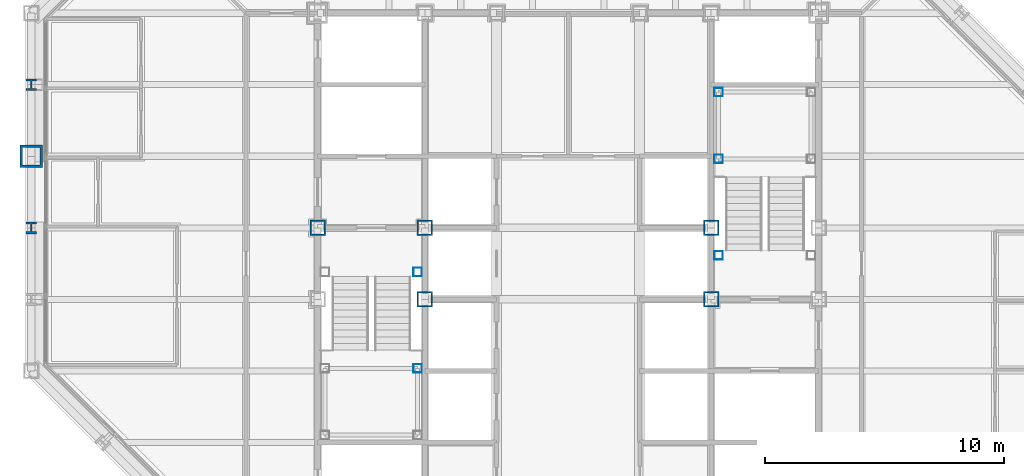
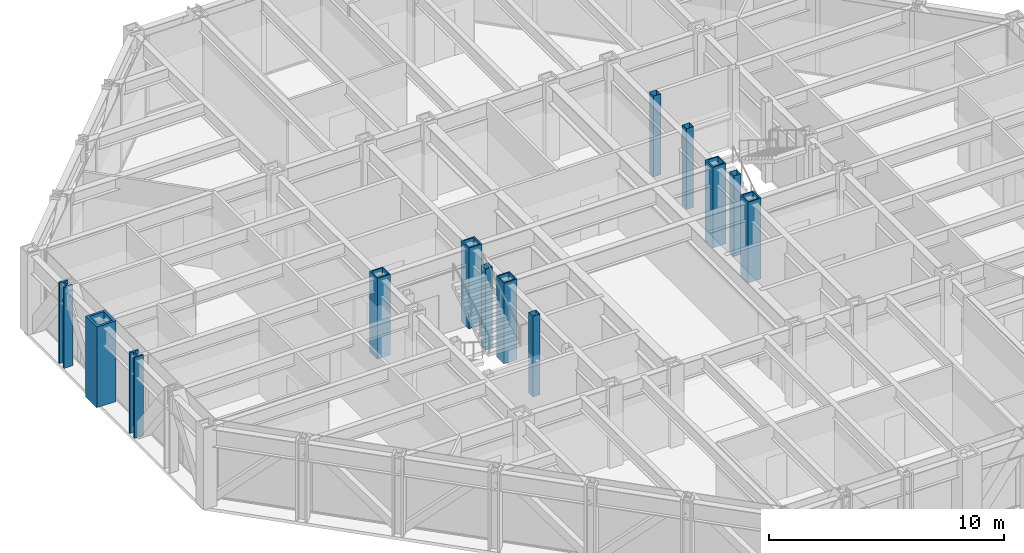
# One storey, part 2 of 16: 13 columns.
"""IFC4 building model written with IfcOpenShell, lengths in metres."""

from ifc_helpers import new_model, si_unit, direction, frame, origin, origin_2d, place, context, subcontext, project, spatial, hollow_rectangle, i_section, extrude, material, material_profile, profile_set, type_object, element, save


model = new_model("IFC4")

# Units and contexts
model_context = context("Model", 3, precision=1e-05, world=origin(), true_north=direction((0.0, 1.0)))
body_context = subcontext(model_context, "Body", "Model", "MODEL_VIEW")
ifc_project = project(units=[si_unit("LENGTHUNIT", "METRE"), si_unit("AREAUNIT", "SQUARE_METRE"), si_unit("VOLUMEUNIT", "CUBIC_METRE"), si_unit("PLANEANGLEUNIT", "RADIAN"), si_unit("MASSUNIT", "GRAM", prefix="KILO")], contexts=[model_context])

# Site, building, storey
site_placement = place(None, origin())
site = spatial("IfcSite", under=ifc_project, at=site_placement, CompositionType="ELEMENT")
building_placement = place(site_placement, origin())
building = spatial("IfcBuilding", under=site, at=building_placement, Name="Chuquiago Exchange Tower", CompositionType="ELEMENT")
storey_placement = place(building_placement, frame((0.0, 0.0, 209.699951171875)))
storey = spatial("IfcBuildingStorey", under=building, at=storey_placement, Name="L46", CompositionType="ELEMENT", Elevation=209.699951171875)

# Columns
ifc_material_1 = material(Name="Steel ASTM A992", Category="steel")
ifc_material_profile_1 = material_profile(ifc_material_1, i_section(OverallWidth=0.431884765625, OverallDepth=0.497802734375, WebThickness=0.0556640625, FlangeThickness=0.0888671875, at=origin_2d()), Name="W14X500")
ifc_profile_set_1 = profile_set([ifc_material_profile_1], Name="Steel ASTM A992")
column_type_1 = type_object("IfcColumnType", Name="C4 W14X500", PredefinedType="COLUMN", material=ifc_profile_set_1)
for number, where, z_axis, x_axis, name in (
    (1, (0.0, 30.0, 0.0), (0.0, 0.0, 1.0), (-1.0, 0.0, 0.0), "COL-L46-0_30"),
    (2, (0.0, 24.0, 0.0), (0.0, 0.0, 1.0), (-1.0, 0.0, 0.0), "COL-L46-0_24"),
):
    element("IfcColumn", number, at=place(storey_placement, frame(where, z_axis=z_axis, x_axis=x_axis)), inside=storey, type_object=column_type_1, Name=name, PredefinedType="COLUMN", context=body_context, shape_type="SweptSolid", body=[
        extrude(i_section(OverallWidth=0.431884765625, OverallDepth=0.497802734375, WebThickness=0.0556640625, FlangeThickness=0.0888671875, at=origin_2d()), origin(), (0.0, 0.0, 1.0), 4.199951171875),
    ])
ifc_material_2 = material(Name="Steel ASTM A572 Grade 50", Category="steel")
ifc_material_profile_2 = material_profile(ifc_material_2, hollow_rectangle(XDim=0.64990234375, YDim=0.64990234375, WallThickness=0.06494140625, at=origin_2d()), Name="BOX650X650X65")
ifc_profile_set_2 = profile_set([ifc_material_profile_2], Name="Steel ASTM A572 Grade 50")
column_type_2 = type_object("IfcColumnType", Name="CC4 BOX650X650X65", PredefinedType="COLUMN", material=ifc_profile_set_2)
for number, where, z_axis, x_axis, name in (
    (3, (12.0, 24.0, 0.0), (0.0, 0.0, 1.0), (1.0, 0.0, 0.0), "CCOL-L46-12_24"),
    (4, (16.5, 21.0, 0.0), (0.0, 0.0, 1.0), (1.0, 0.0, 0.0), "CCOL-L46-16.5_21"),
    (5, (16.5, 24.0, 0.0), (0.0, 0.0, 1.0), (1.0, 0.0, 0.0), "CCOL-L46-16.5_24"),
    (6, (28.5, 21.0, 0.0), (0.0, 0.0, 1.0), (1.0, 0.0, 0.0), "CCOL-L46-28.5_21"),
    (7, (28.5, 24.0, 0.0), (0.0, 0.0, 1.0), (1.0, 0.0, 0.0), "CCOL-L46-28.5_24"),
):
    element("IfcColumn", number, at=place(storey_placement, frame(where, z_axis=z_axis, x_axis=x_axis)), inside=storey, type_object=column_type_2, Name=name, PredefinedType="COLUMN", context=body_context, shape_type="SweptSolid", body=[
        extrude(hollow_rectangle(XDim=0.64990234375, YDim=0.64990234375, WallThickness=0.06494140625, at=origin_2d()), origin(), (0.0, 0.0, 1.0), 4.199951171875),
    ])
ifc_material_3 = material(Name="Steel ASTM A572 Grade 42", Category="steel")
ifc_material_profile_3 = material_profile(ifc_material_3, hollow_rectangle(XDim=0.949951171875, YDim=0.949951171875, WallThickness=0.110107421875, at=origin_2d()), Name="BOX950X950X110")
ifc_profile_set_3 = profile_set([ifc_material_profile_3], Name="Steel ASTM A572 Grade 42")
column_type_3 = type_object("IfcColumnType", Name="CT1 BOX950X950X110", PredefinedType="COLUMN", material=ifc_profile_set_3)
column_placement = place(storey_placement, frame((0.0, 27.0, 0.0), z_axis=(0.0, 0.0, 1.0), x_axis=(-1.0, 0.0, 0.0)))
element("IfcColumn", 8, at=column_placement, inside=storey, type_object=column_type_3, Name="COL-L46-0_27", PredefinedType="COLUMN", context=body_context, shape_type="SweptSolid", body=[
    extrude(hollow_rectangle(XDim=0.949951171875, YDim=0.949951171875, WallThickness=0.110107421875, at=origin_2d()), origin(), (0.0, 0.0, 1.0), 4.199951171875),
])
ifc_material_4 = material(Name="Steel ASTM A500 Grade C", Category="steel")
ifc_material_profile_4 = material_profile(ifc_material_4, hollow_rectangle(XDim=0.355712890625, YDim=0.355712890625, WallThickness=0.0087890625, at=origin_2d()), Name="HSS14X14X3/8")
ifc_profile_set_4 = profile_set([ifc_material_profile_4], Name="Steel ASTM A500 Grade C")
column_type_4 = type_object("IfcColumnType", Name="PT1 HSS14X14X3/8", PredefinedType="COLUMN", material=ifc_profile_set_4)
for number, where, z_axis, x_axis, name in (
    (9, (16.18994140625, 18.110107421875, 0.0), (0.0, 0.0, 1.0), (1.0, 0.0, 0.0), "Stair ST1 L46 landing post"),
    (10, (16.18994140625, 22.14990234375, 0.0), (0.0, 0.0, 1.0), (1.0, 0.0, 0.0), "Stair ST1 L46 landing post"),
    (11, (28.81005859375, 29.68994140625, 0.0), (0.0, 0.0, 1.0), (1.0, 0.0, 0.0), "Stair ST2 L46 landing post"),
    (12, (28.81005859375, 26.889892578125, 0.0), (0.0, 0.0, 1.0), (1.0, 0.0, 0.0), "Stair ST2 L46 landing post"),
    (13, (28.81005859375, 22.85009765625, 0.0), (0.0, 0.0, 1.0), (1.0, 0.0, 0.0), "Stair ST2 L46 landing post"),
):
    element("IfcColumn", number, at=place(storey_placement, frame(where, z_axis=z_axis, x_axis=x_axis)), inside=storey, type_object=column_type_4, Name=name, PredefinedType="COLUMN", context=body_context, shape_type="SweptSolid", body=[
        extrude(hollow_rectangle(XDim=0.355712890625, YDim=0.355712890625, WallThickness=0.0087890625, at=origin_2d()), origin(), (0.0, 0.0, 1.0), 4.199951171875),
    ])

save(model, "model.ifc")
